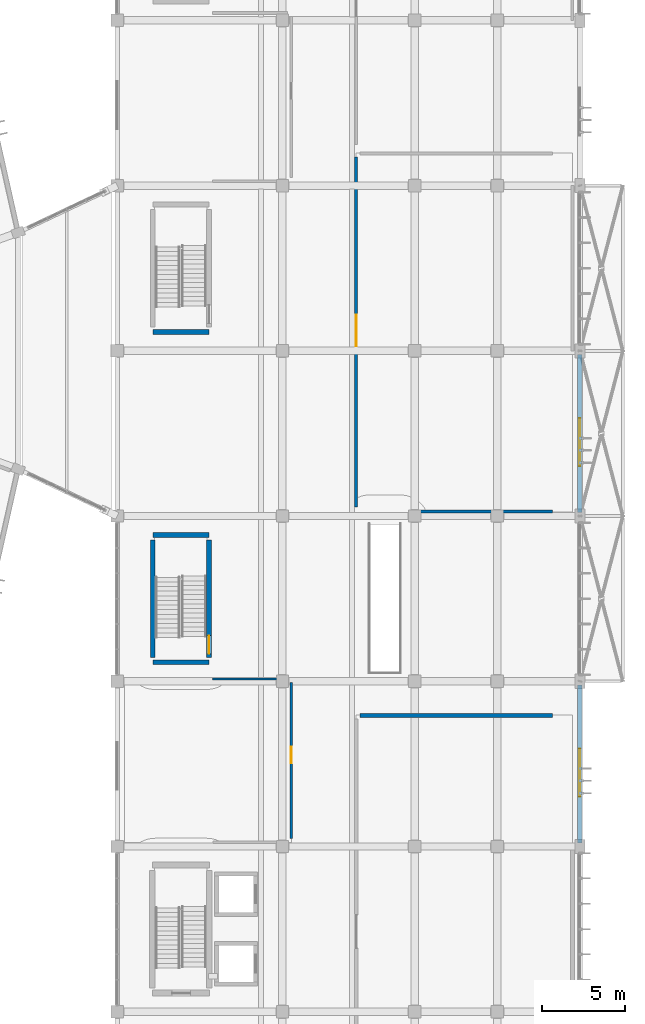
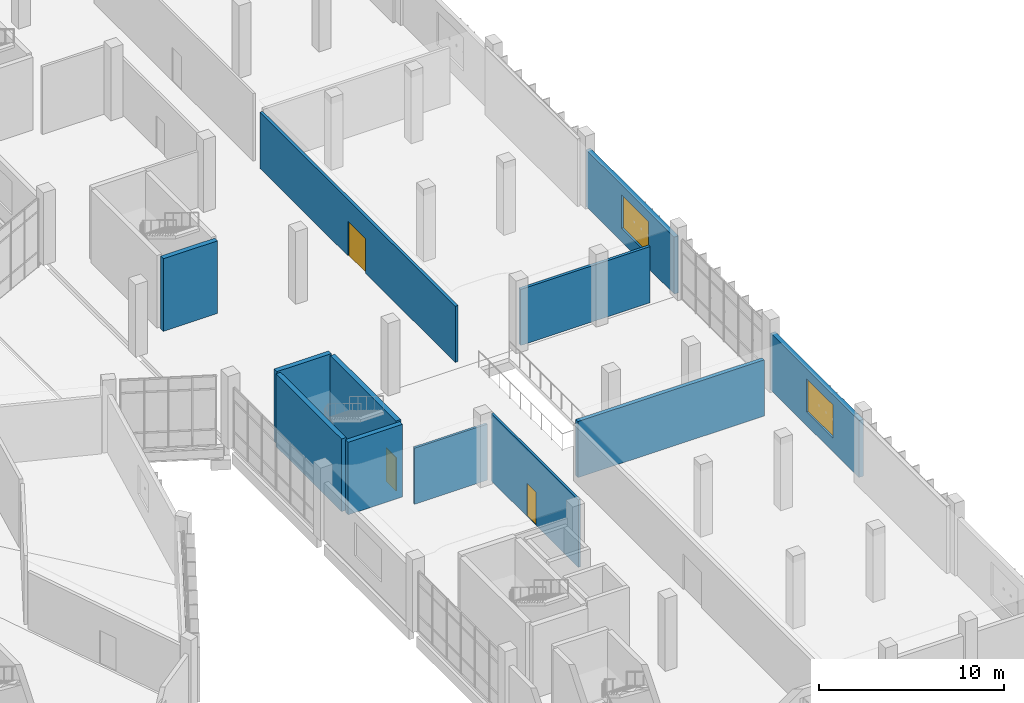
# One storey, part 125 of 179: 12 walls, 3 doors, 2 windows, 5 openings.
"""IFC4 building model written with IfcOpenShell, lengths in metres."""

from ifc_helpers import new_model, si_unit, direction, frame, frame_2d, origin, place, context, subcontext, project, spatial, rectangle, extrude, material, layer, layer_set, type_object, element, fill, save


model = new_model("IFC4")

# Units and contexts
model_context = context("Model", 3, precision=1e-05, world=origin(), true_north=direction((0.0, 1.0)))
body_context = subcontext(model_context, "Body", "Model", "MODEL_VIEW")
ifc_project = project(units=[si_unit("LENGTHUNIT", "METRE"), si_unit("AREAUNIT", "SQUARE_METRE"), si_unit("VOLUMEUNIT", "CUBIC_METRE"), si_unit("PLANEANGLEUNIT", "RADIAN"), si_unit("MASSUNIT", "GRAM", prefix="KILO")], contexts=[model_context])

# Site, building, storey
site_placement = place(None, origin())
site = spatial("IfcSite", under=ifc_project, at=site_placement, CompositionType="ELEMENT")
building_placement = place(site_placement, origin())
building = spatial("IfcBuilding", under=site, at=building_placement, Name="Corvandel Quay Wholesale Market", CompositionType="ELEMENT")
storey_placement = place(building_placement, frame((0.0, 0.0, 6.0)))
storey = spatial("IfcBuildingStorey", under=building, at=storey_placement, Name="L01", CompositionType="ELEMENT", Elevation=6.0)

# Wall, opening, window
ifc_material_1 = material(Name="Buff-pigmented precast concrete C45/55", Category="concrete")
ifc_layer_1 = layer(ifc_material_1, 0.280029296875)
ifc_layer_set_1 = layer_set([ifc_layer_1], Name="Buff-pigmented precast concrete C45/55")
wall_type_1 = type_object("IfcWallType", Name="Colonnade Spandrel Precast Wall EW07 280", PredefinedType="SOLIDWALL", material=ifc_layer_set_1)
wall_1_placement = place(storey_placement, frame((248.0, 30.219970703125, 0.0), z_axis=(0.0, 0.0, 1.0), x_axis=(0.0, 1.0, 0.0)))
wall_1 = element("IfcWall", 1, at=wall_1_placement, inside=storey, type_object=wall_type_1, Name="Exterior Wall EW-0351", PredefinedType="SOLIDWALL", context=body_context, shape_type="SweptSolid", body=[
    extrude(rectangle(XDim=9.56005859375, YDim=0.280029296875, at=frame_2d((4.780029296875, 0.0))), origin(), (0.0, 0.0, 1.0), 3.760009765625),
])
opening_1_placement = place(wall_1_placement, frame((2.800048828125, 0.0, 0.89990234375)))
opening_1 = element("IfcOpeningElement", 2, at=opening_1_placement, cuts=wall_1, Name="Opening L01-W088", PredefinedType="OPENING", context=body_context, shape_type="SweptSolid", body=[
    extrude(rectangle(XDim=2.89990234375, YDim=2.199951171875, at=frame_2d((1.449951171875, 1.10009765625))), frame((0.0, 0.14990234375, 0.0), z_axis=(0.0, -1.0, 0.0), x_axis=(1.0, 0.0, 0.0)), (0.0, 0.0, 1.0), 0.300048828125),
])
ifc_material_2 = material(Name="Thermally broken bronze anodised aluminium and solar-control low-E double glazing", Category="aluminium")
window_type = type_object("IfcWindowType", Name="Canteen Harbour Window WN18 2900x2200", PartitioningType="SINGLE_PANEL", PredefinedType="WINDOW", material=ifc_material_2)
window_1_placement = place(opening_1_placement, origin())
window_1 = element("IfcWindow", 3, at=window_1_placement, inside=storey, type_object=window_type, Name="Window L01-W088", OverallHeight=2.199951171875, OverallWidth=2.89990234375, PartitioningType="SINGLE_PANEL", PredefinedType="WINDOW", context=body_context, shape_type="SweptSolid", body=[
    extrude(rectangle(XDim=2.89990234375, YDim=2.199951171875, at=frame_2d((1.449951171875, 1.10009765625))), frame((0.0, 0.030029296875, 0.0), z_axis=(0.0, -1.0, 0.0), x_axis=(1.0, 0.0, 0.0)), (0.0, 0.0, 1.0), 0.06005859375),
])
fill(opening_1, window_1)

wall_2_placement = place(storey_placement, frame((248.0, 50.219970703125, 0.0), z_axis=(0.0, 0.0, 1.0), x_axis=(0.0, 1.0, 0.0)))
wall_2 = element("IfcWall", 4, at=wall_2_placement, inside=storey, type_object=wall_type_1, Name="Exterior Wall EW-0353", PredefinedType="SOLIDWALL", context=body_context, shape_type="SweptSolid", body=[
    extrude(rectangle(XDim=9.56005859375, YDim=0.280029296875, at=frame_2d((4.780029296875, 0.0))), origin(), (0.0, 0.0, 1.0), 3.760009765625),
])
opening_2_placement = place(wall_2_placement, frame((2.800048828125, 0.0, 0.89990234375)))
opening_2 = element("IfcOpeningElement", 5, at=opening_2_placement, cuts=wall_2, Name="Opening L01-W090", PredefinedType="OPENING", context=body_context, shape_type="SweptSolid", body=[
    extrude(rectangle(XDim=2.89990234375, YDim=2.199951171875, at=frame_2d((1.449951171875, 1.10009765625))), frame((0.0, 0.14990234375, 0.0), z_axis=(0.0, -1.0, 0.0), x_axis=(1.0, 0.0, 0.0)), (0.0, 0.0, 1.0), 0.300048828125),
])
window_2_placement = place(opening_2_placement, origin())
window_2 = element("IfcWindow", 6, at=window_2_placement, inside=storey, type_object=window_type, Name="Window L01-W090", OverallHeight=2.199951171875, OverallWidth=2.89990234375, PartitioningType="SINGLE_PANEL", PredefinedType="WINDOW", context=body_context, shape_type="SweptSolid", body=[
    extrude(rectangle(XDim=2.89990234375, YDim=2.199951171875, at=frame_2d((1.449951171875, 1.10009765625))), frame((0.0, 0.030029296875, 0.0), z_axis=(0.0, -1.0, 0.0), x_axis=(1.0, 0.0, 0.0)), (0.0, 0.0, 1.0), 0.06005859375),
])
fill(opening_2, window_2)

# Wall
ifc_material_3 = material(Name="Lightweight concrete blockwork", Category="masonry")
ifc_layer_2 = layer(ifc_material_3, 0.239990234375)
ifc_layer_set_2 = layer_set([ifc_layer_2], Name="Lightweight concrete blockwork")
wall_type_2 = type_object("IfcWallType", Name="Fire Compartment Partition PT01 240", PredefinedType="PARTITIONING", material=ifc_layer_set_2)
wall_3_placement = place(storey_placement, frame((234.679931640625, 37.93994140625, 0.0), z_axis=(0.0, 0.0, 1.0), x_axis=(1.0, 0.0, 0.0)))
element("IfcWall", 7, at=wall_3_placement, inside=storey, type_object=wall_type_2, Name="Interior Wall IW-0872", PredefinedType="PARTITIONING", context=body_context, shape_type="SweptSolid", body=[
    extrude(rectangle(XDim=11.650146484375, YDim=0.239990234375, at=frame_2d((5.8251953125, 0.0))), origin(), (0.0, 0.0, 1.0), 3.7099609375),
])

# Wall, opening, door
ifc_material_4 = material(Name="FRP-faced cementitious board stud wall")
ifc_layer_3 = layer(ifc_material_4, 0.179931640625)
ifc_layer_set_3 = layer_set([ifc_layer_3], Name="FRP-faced cementitious board stud wall")
wall_type_3 = type_object("IfcWallType", Name="Hygienic Washdown Partition PT05 180", PredefinedType="PARTITIONING", material=ifc_layer_set_3)
wall_4_placement = place(storey_placement, frame((234.4599609375, 50.556396484375, 0.0), z_axis=(0.0, 0.0, 1.0), x_axis=(0.0, 1.0, 0.0)))
wall_4 = element("IfcWall", 8, at=wall_4_placement, inside=storey, type_object=wall_type_3, Name="Interior Wall IW-0874", PredefinedType="PARTITIONING", context=body_context, shape_type="SweptSolid", body=[
    extrude(rectangle(XDim=21.16357421875, YDim=0.179931640625, at=frame_2d((10.581787109375, 0.0))), origin(), (0.0, 0.0, 1.0), 3.7099609375),
])
opening_3_placement = place(wall_4_placement, frame((9.73193359375, 0.0, 0.0)))
opening_3 = element("IfcOpeningElement", 9, at=opening_3_placement, cuts=wall_4, Name="Opening L01-D067", PredefinedType="OPENING", context=body_context, shape_type="SweptSolid", body=[
    extrude(rectangle(XDim=1.89990234375, YDim=2.300048828125, at=frame_2d((0.949951171875, 1.14990234375))), frame((0.0, 0.099853515625, 0.0), z_axis=(0.0, -1.0, 0.0), x_axis=(1.0, 0.0, 0.0)), (0.0, 0.0, 1.0), 0.199951171875),
])
ifc_material_5 = material(Name="Brushed stainless steel hygienic leaf", Category="steel")
door_type_1 = type_object("IfcDoorType", Name="Canteen Kitchen Double Door ID17 1900x2300", OperationType="DOUBLE_DOOR_SINGLE_SWING", PredefinedType="DOOR", material=ifc_material_5)
door_1_placement = place(opening_3_placement, origin())
door_1 = element("IfcDoor", 10, at=door_1_placement, inside=storey, type_object=door_type_1, Name="Market Canteen Commercial Kitchen Door", OperationType="DOUBLE_DOOR_SINGLE_SWING", OverallHeight=2.300048828125, OverallWidth=1.89990234375, PredefinedType="DOOR", context=body_context, shape_type="SweptSolid", body=[
    extrude(rectangle(XDim=1.89990234375, YDim=2.300048828125, at=frame_2d((0.949951171875, 1.14990234375))), frame((0.0, 0.02490234375, 0.0), z_axis=(0.0, -1.0, 0.0), x_axis=(1.0, 0.0, 0.0)), (0.0, 0.0, 1.0), 0.050048828125),
])
fill(opening_3, door_1)

# Walls
wall_5_placement = place(storey_placement, frame((246.330078125, 50.260009765625, 0.0), z_axis=(0.0, 0.0, 1.0), x_axis=(-1.0, 0.0, 0.0)))
element("IfcWall", 11, at=wall_5_placement, inside=storey, type_object=wall_type_3, Name="Interior Wall IW-0877", PredefinedType="PARTITIONING", context=body_context, shape_type="SweptSolid", body=[
    extrude(rectangle(XDim=8.099365234375, YDim=0.179931640625, at=frame_2d((4.0498046875, 0.0))), origin(), (0.0, 0.0, 1.0), 3.7099609375),
])
ifc_material_6 = material(Name="Double-layer acoustic gypsum stud partition")
ifc_layer_4 = layer(ifc_material_6, 0.139892578125)
ifc_layer_set_4 = layer_set([ifc_layer_4], Name="Double-layer acoustic gypsum stud partition")
wall_type_4 = type_object("IfcWallType", Name="Office Acoustic Partition PT07 140", PredefinedType="PARTITIONING", material=ifc_layer_set_4)
wall_6_placement = place(storey_placement, frame((225.77001953125, 40.139892578125, 0.0), z_axis=(0.0, 0.0, 1.0), x_axis=(1.0, 0.0, 0.0)))
element("IfcWall", 12, at=wall_6_placement, inside=storey, type_object=wall_type_4, Name="Interior Wall IW-0882", PredefinedType="PARTITIONING", context=body_context, shape_type="SweptSolid", body=[
    extrude(rectangle(XDim=4.550048828125, YDim=0.139892578125, at=frame_2d((2.27490234375, 0.0))), origin(), (0.0, 0.0, 1.0), 3.7099609375),
])

# Wall, opening, door
wall_7_placement = place(storey_placement, frame((230.5400390625, 39.919921875, 0.0), z_axis=(0.0, 0.0, 1.0), x_axis=(0.0, -1.0, 0.0)))
wall_7 = element("IfcWall", 13, at=wall_7_placement, inside=storey, type_object=wall_type_4, Name="Interior Wall IW-0883", PredefinedType="PARTITIONING", context=body_context, shape_type="SweptSolid", body=[
    extrude(rectangle(XDim=9.43994140625, YDim=0.139892578125, at=frame_2d((4.719970703125, 0.0))), origin(), (0.0, 0.0, 1.0), 4.4599609375),
])
opening_4_placement = place(wall_7_placement, frame((3.8701171875, 0.0, 0.0)))
opening_4 = element("IfcOpeningElement", 14, at=opening_4_placement, cuts=wall_7, Name="Opening L01-D070", PredefinedType="OPENING", context=body_context, shape_type="SweptSolid", body=[
    extrude(rectangle(XDim=1.0, YDim=2.199951171875, at=frame_2d((0.5, 1.10009765625))), frame((0.0, 0.079833984375, 0.0), z_axis=(0.0, -1.0, 0.0), x_axis=(1.0, 0.0, 0.0)), (0.0, 0.0, 1.0), 0.159912109375),
])
ifc_material_7 = material(Name="Stained oak solid-core acoustic timber", Category="wood")
door_type_2 = type_object("IfcDoorType", Name="Office Entry Door ID09 1000x2200L", OperationType="SINGLE_SWING_LEFT", PredefinedType="DOOR", material=ifc_material_7)
door_2_placement = place(opening_4_placement, origin())
door_2 = element("IfcDoor", 15, at=door_2_placement, inside=storey, type_object=door_type_2, Name="Canteen Dry Goods Pantry Door", OperationType="SINGLE_SWING_LEFT", OverallHeight=2.199951171875, OverallWidth=1.0, PredefinedType="DOOR", context=body_context, shape_type="SweptSolid", body=[
    extrude(rectangle(XDim=1.0, YDim=2.199951171875, at=frame_2d((0.5, 1.10009765625))), frame((0.0, 0.02490234375, 0.0), z_axis=(0.0, -1.0, 0.0), x_axis=(1.0, 0.0, 0.0)), (0.0, 0.0, 1.0), 0.050048828125),
])
fill(opening_4, door_2)

# Walls
ifc_material_8 = material(Name="Concrete C40/50", Category="concrete")
ifc_layer_5 = layer(ifc_material_8, 0.300048828125)
ifc_layer_set_5 = layer_set([ifc_layer_5], Name="Concrete C40/50")
wall_type_5 = type_object("IfcWallType", Name="Stair Shaft Shear Wall SW02 300", PredefinedType="SHEAR", material=ifc_layer_set_5)
for number, where, z_axis, x_axis, name in (
    (16, (222.14990234375, 41.14990234375, 0.0), (0.0, 0.0, 1.0), (1.0, 0.0, 0.0), "Shear Wall IW-0181"),
    (17, (222.14990234375, 48.85009765625, 0.0), (0.0, 0.0, 1.0), (1.0, 0.0, 0.0), "Shear Wall IW-0182"),
):
    element("IfcWall", number, at=place(storey_placement, frame(where, z_axis=z_axis, x_axis=x_axis)), inside=storey, type_object=wall_type_5, Name=name, PredefinedType="SHEAR", context=body_context, shape_type="SweptSolid", body=[
        extrude(rectangle(XDim=3.400146484375, YDim=0.300048828125, at=frame_2d((1.7001953125, 0.0))), origin(), (0.0, 0.0, 1.0), 4.800048828125),
    ])
wall_8_placement = place(storey_placement, frame((222.14990234375, 41.43994140625, 0.0), z_axis=(0.0, 0.0, 1.0), x_axis=(0.0, 1.0, 0.0)))
element("IfcWall", 18, at=wall_8_placement, inside=storey, type_object=wall_type_5, Name="Shear Wall IW-0183", PredefinedType="SHEAR", context=body_context, shape_type="SweptSolid", body=[
    extrude(rectangle(XDim=7.1201171875, YDim=0.300048828125, at=frame_2d((3.56005859375, 0.0))), origin(), (0.0, 0.0, 1.0), 4.800048828125),
])

# Wall, opening, door
wall_9_placement = place(storey_placement, frame((225.550048828125, 41.43994140625, 0.0), z_axis=(0.0, 0.0, 1.0), x_axis=(0.0, 1.0, 0.0)))
wall_9 = element("IfcWall", 19, at=wall_9_placement, inside=storey, type_object=wall_type_5, Name="Shear Wall IW-0184", PredefinedType="SHEAR", context=body_context, shape_type="SweptSolid", body=[
    extrude(rectangle(XDim=7.1201171875, YDim=0.300048828125, at=frame_2d((3.56005859375, 0.0))), origin(), (0.0, 0.0, 1.0), 4.800048828125),
])
opening_5_placement = place(wall_9_placement, frame((0.219970703125, 0.0, 0.0)))
opening_5 = element("IfcOpeningElement", 20, at=opening_5_placement, cuts=wall_9, Name="Opening L01-D018", PredefinedType="OPENING", context=body_context, shape_type="SweptSolid", body=[
    extrude(rectangle(XDim=1.10009765625, YDim=2.199951171875, at=frame_2d((0.550048828125, 1.10009765625))), frame((0.0, 0.159912109375, 0.0), z_axis=(0.0, -1.0, 0.0), x_axis=(1.0, 0.0, 0.0)), (0.0, 0.0, 1.0), 0.320068359375),
])
ifc_material_9 = material(Name="Galvanised fire-rated hollow steel", Category="steel")
door_type_3 = type_object("IfcDoorType", Name="Exit Stair Fire Door ID02 1100x2200R", OperationType="SINGLE_SWING_RIGHT", PredefinedType="DOOR", material=ifc_material_9)
door_3_placement = place(opening_5_placement, origin())
door_3 = element("IfcDoor", 21, at=door_3_placement, inside=storey, type_object=door_type_3, Name="Exit Stair Door SH17-L01", OperationType="SINGLE_SWING_RIGHT", OverallHeight=2.199951171875, OverallWidth=1.10009765625, PredefinedType="DOOR", context=body_context, shape_type="SweptSolid", body=[
    extrude(rectangle(XDim=1.10009765625, YDim=2.199951171875, at=frame_2d((0.550048828125, 1.10009765625))), frame((0.0, 0.02490234375, 0.0), z_axis=(0.0, -1.0, 0.0), x_axis=(1.0, 0.0, 0.0)), (0.0, 0.0, 1.0), 0.050048828125),
])
fill(opening_5, door_3)

# Wall
wall_10_placement = place(storey_placement, frame((222.14990234375, 61.14990234375, 0.0), z_axis=(0.0, 0.0, 1.0), x_axis=(1.0, 0.0, 0.0)))
element("IfcWall", 22, at=wall_10_placement, inside=storey, type_object=wall_type_5, Name="Shear Wall IW-0197", PredefinedType="SHEAR", context=body_context, shape_type="SweptSolid", body=[
    extrude(rectangle(XDim=3.400146484375, YDim=0.300048828125, at=frame_2d((1.7001953125, 0.0))), origin(), (0.0, 0.0, 1.0), 4.800048828125),
])

save(model, "model.ifc")
